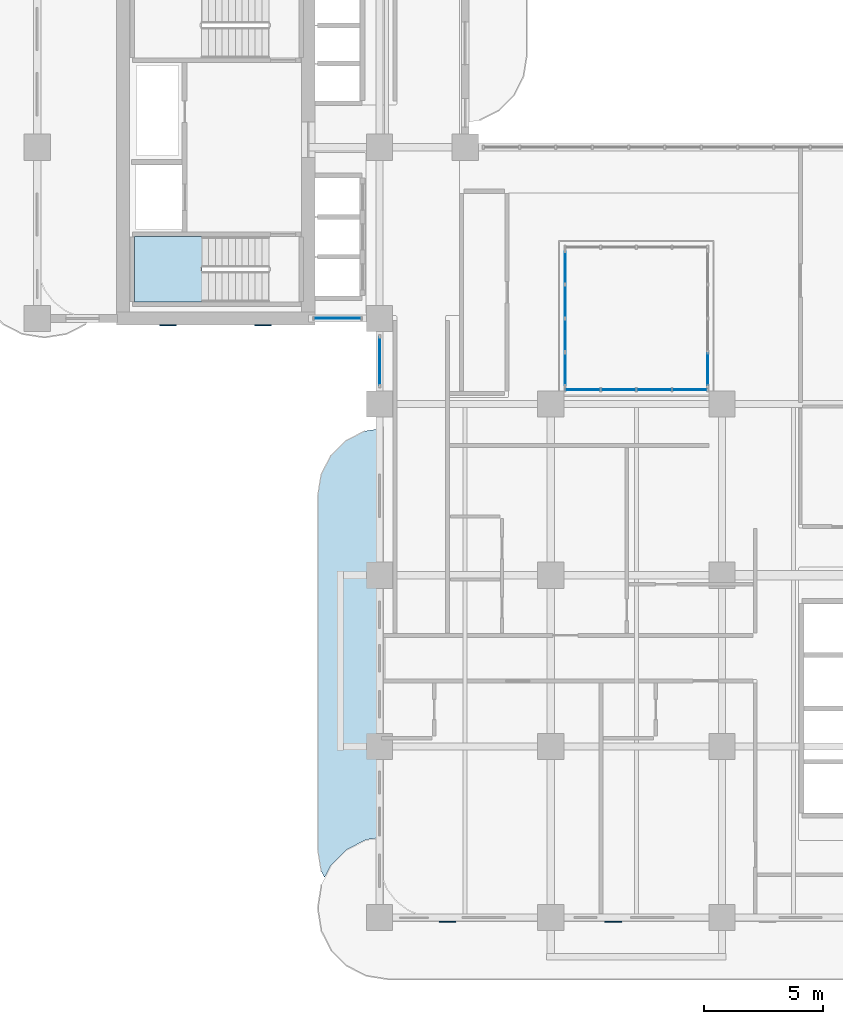
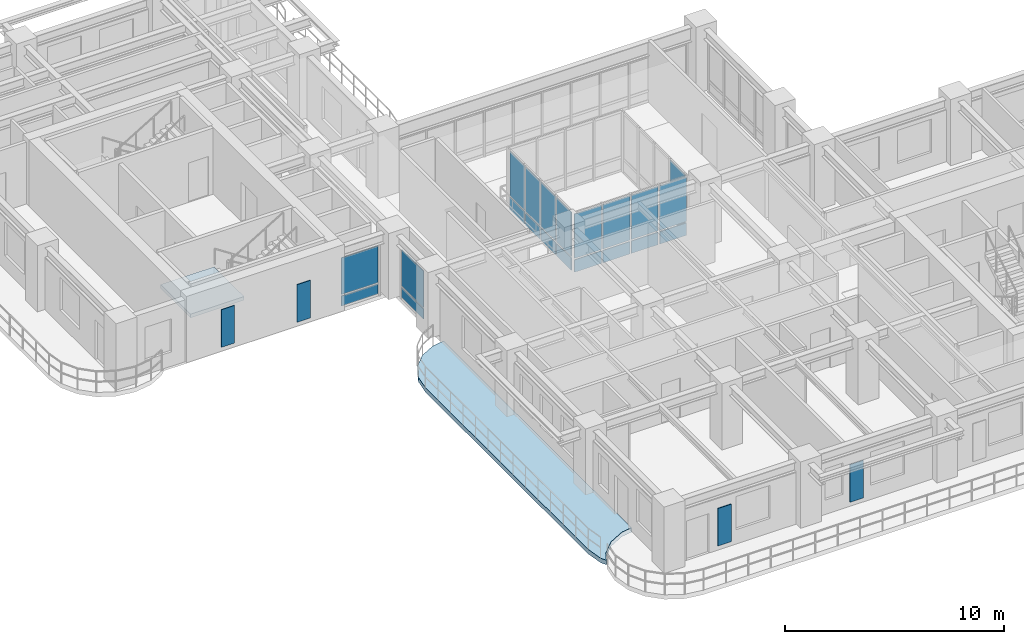
# One storey, part 8 of 22: 26 plates, 2 slabs, 6 elements without a shape of their own.
"""IFC4 building model written with IfcOpenShell, lengths in metres."""

from ifc_helpers import new_model, si_unit, derived_unit, direction, frame, origin, origin_2d, place, context, subcontext, project, spatial, polyline, rectangle, outline, extrude, source, transform, mapped, material, layer, layer_set, type_object, type_shapes, element, aggregate, save


model = new_model("IFC4")

# Units and contexts
model_context = context("Model", 3, precision=1e-05, world=origin(), true_north=direction((0.0, 1.0)))
body_context = subcontext(model_context, "Body", "Model", "MODEL_VIEW")
ifc_project = project(units=[si_unit("LENGTHUNIT", "METRE"), si_unit("AREAUNIT", "SQUARE_METRE"), si_unit("VOLUMEUNIT", "CUBIC_METRE"), si_unit("PLANEANGLEUNIT", "RADIAN"), si_unit("MASSUNIT", "GRAM", prefix="KILO"), si_unit("THERMODYNAMICTEMPERATUREUNIT", "KELVIN"), si_unit("POWERUNIT", "WATT"), derived_unit("THERMALTRANSMITTANCEUNIT", [(si_unit("POWERUNIT", "WATT"), 1), (si_unit("AREAUNIT", "SQUARE_METRE"), -1), (si_unit("THERMODYNAMICTEMPERATUREUNIT", "KELVIN"), -1)])], contexts=[model_context])

# Site, building, storey
site_placement = place(None, origin())
site = spatial("IfcSite", under=ifc_project, at=site_placement, CompositionType="ELEMENT")
building_placement = place(site_placement, origin())
building = spatial("IfcBuilding", under=site, at=building_placement, Name="Zahravan Archway Hotel and Residences", CompositionType="ELEMENT")
storey_placement = place(building_placement, frame((0.0, 0.0, 91.60009765625)))
storey = spatial("IfcBuildingStorey", under=building, at=storey_placement, Name="L22", CompositionType="ELEMENT", Elevation=91.60009765625)

# Slab
ifc_material_1 = material(Name="Concrete C45/55", Category="concrete")
ifc_layer_1 = layer(ifc_material_1, 0.25, Name="Concrete C45/55", Category="concrete")
ifc_layer_set_1 = layer_set([ifc_layer_1], Name="Concrete C45/55")
slab_type_1 = type_object("IfcSlabType", Name="SLB-BALC-250", PredefinedType="FLOOR", material=ifc_layer_set_1)
slab_1_placement = place(storey_placement, frame((0.0, 0.0, -0.25)))
element("IfcSlab", 1, at=slab_1_placement, inside=storey, type_object=slab_type_1, Name="L22 Wing A West Rounded Balcony Band", PredefinedType="FLOOR", context=body_context, shape_type="SweptSolid", body=[
    extrude(outline(polyline([(11.939453125, 1.96923828125), (11.800048828125, 2.85009765625), (11.800048828125, 17.75), (11.939453125, 18.630615234375), (12.34423828125, 19.42529296875), (12.974853515625, 20.0556640625), (13.769287109375, 20.46044921875), (14.3798828125, 20.55712890625), (14.3798828125, 3.361328125), (14.37890625, 3.361328125), (14.376953125, 3.361083984375), (13.835205078125, 3.275390625), (13.833251953125, 3.27490234375), (13.831298828125, 3.2744140625), (13.829345703125, 3.2734375), (13.0068359375, 2.8544921875), (13.005126953125, 2.853515625), (13.00341796875, 2.85205078125), (13.001953125, 2.8505859375), (12.349365234375, 2.197998046875), (12.347900390625, 2.196533203125), (12.3466796875, 2.19482421875), (12.345703125, 2.193115234375), (12.08544921875, 1.6826171875), (11.939453125, 1.96923828125)])), origin(), (0.0, 0.0, 1.0), 0.25),
])

# Stair, slab
ifc_material_2 = material(Name="Concrete C50/60", Category="concrete")
stair_type = type_object("IfcStairType", Name="STR-CORE-1300", PredefinedType="HALF_TURN_STAIR", material=ifc_material_2)
stair_placement = place(storey_placement, origin())
stair = element("IfcStair", 2, at=stair_placement, inside=storey, type_object=stair_type, Name="L22 Core B Exit Stair 1", PredefinedType="HALF_TURN_STAIR")
ifc_layer_2 = layer(ifc_material_2, 0.199951171875, Name="Concrete C50/60", Category="concrete")
ifc_layer_set_2 = layer_set([ifc_layer_2], Name="Concrete C50/60")
slab_type_2 = type_object("IfcSlabType", Name="SLB-LND-200", PredefinedType="LANDING", material=ifc_layer_set_2)
slab_2_placement = place(storey_placement, frame((0.0, 0.0, 1.64990234375)))
slab_2 = element("IfcSlab", 3, at=slab_2_placement, type_object=slab_type_2, Name="ST-B1 landing 1", PredefinedType="LANDING", context=body_context, shape_type="SweptSolid", body=[
    extrude(outline(polyline([(6.929931640625, 28.639892578125), (4.10009765625, 28.639892578125), (4.10009765625, 25.89990234375), (6.929931640625, 25.89990234375), (6.929931640625, 28.639892578125)])), origin(), (0.0, 0.0, 1.0), 0.199951171875),
])
aggregate(stair, [slab_2])

# Plates
ifc_material_3 = material(Name="Perforated Cast Bronze Jali Lattice")
ifc_layer_3 = layer(ifc_material_3, 0.044921875, Name="Perforated Cast Bronze Jali Lattice")
ifc_layer_set_3 = layer_set([ifc_layer_3], Name="Perforated Cast Bronze Jali Lattice")
plate_type_1 = type_object("IfcPlateType", Name="PLT-JALI-BAY", PredefinedType="USERDEFINED", material=ifc_layer_set_3)
shared_shape_1 = source(origin(), body_context, "Body", "SweptSolid", [
    extrude(rectangle(XDim=0.699951171875, YDim=0.044921875, at=origin_2d()), origin(), (0.0, 0.0, 1.0), 2.10009765625),
])
type_shapes(plate_type_1, [shared_shape_1])
for number, where, z_axis, x_axis, name in (
    (4, (5.5, 24.906982421875, 0.249755859375), (0.0, 0.0, 1.0), (1.0, 0.0, 0.0), "L22 Core B South Mughal Jali Screen 1"),
    (5, (9.5, 24.906982421875, 0.249755859375), (0.0, 0.0, 1.0), (1.0, 0.0, 0.0), "L22 Core B South Mughal Jali Screen 2"),
    (6, (17.25, -0.177978515625, 0.249755859375), (0.0, 0.0, 1.0), (1.0, 0.0, 0.0), "L22 Perforated Bronze Jali Pier Screen 01"),
    (7, (24.22802734375, -0.177978515625, 0.249755859375), (0.0, 0.0, 1.0), (1.0, 0.0, 0.0), "L22 Perforated Bronze Jali Pier Screen 02"),
):
    element("IfcPlate", number, at=place(storey_placement, frame(where, z_axis=z_axis, x_axis=x_axis)), inside=storey, type_object=plate_type_1, Name=name, ObjectType="SCREEN", PredefinedType="USERDEFINED", context=body_context, shape_type="MappedRepresentation", body=[
        mapped(shared_shape_1, transform((0.0, 0.0, 0.0), scale=1.0)),
    ])

# Curtain wall, plates
ifc_material_4 = material(Name="Bronze-Anodized Unitised Aluminium & Low-E Glass", Category="aluminium")
ifc_layer_4 = layer(ifc_material_4, 0.179931640625, Name="Bronze-Anodized Unitised Aluminium & Low-E Glass", Category="aluminium")
ifc_layer_set_4 = layer_set([ifc_layer_4], Name="Bronze-Anodized Unitised Aluminium & Low-E Glass")
curtain_wall_type = type_object("IfcCurtainWallType", Name="CW-ATR-GLAZ", PredefinedType="NOTDEFINED", material=ifc_layer_set_4)
curtain_wall_1_placement = place(storey_placement, origin())
curtain_wall_1 = element("IfcCurtainWall", 8, at=curtain_wall_1_placement, inside=storey, type_object=curtain_wall_type, Name="L22 Curtain Wall CW-L22-WB-SE-1", PredefinedType="NOTDEFINED")
ifc_material_5 = material(Name="Insulated Terracotta Spandrel Panel", Category="masonry")
ifc_layer_5 = layer(ifc_material_5, 0.0400390625, Name="Insulated Terracotta Spandrel Panel", Category="masonry")
ifc_layer_set_5 = layer_set([ifc_layer_5], Name="Insulated Terracotta Spandrel Panel")
plate_type_2 = type_object("IfcPlateType", Name="CWP-SPN-40", PredefinedType="SHEET", material=ifc_layer_set_5)
shared_shape_2 = source(origin(), body_context, "Body", "SweptSolid", [
    extrude(rectangle(XDim=1.93994140625, YDim=0.0400390625, at=origin_2d()), origin(), (0.0, 0.0, 1.0), 0.552490234375),
])
plate_1_placement = place(storey_placement, frame((12.6298828125, 25.199951171875, 0.10009765625), z_axis=(0.0, 0.0, 1.0), x_axis=(1.0, 0.0, 0.0)))
plate_1 = element("IfcPlate", 9, at=plate_1_placement, type_object=plate_type_2, Name="CW-L22-WB-SE-1 Spandrel Panel 0", PredefinedType="SHEET", context=body_context, shape_type="MappedRepresentation", body=[
    mapped(shared_shape_2, transform((0.0, 0.0, 0.0), scale=1.0)),
])
ifc_material_6 = material(Name="Double-Silver Low-E Insulated Vision Glass", Category="glass")
ifc_layer_6 = layer(ifc_material_6, 0.028076171875, Name="Double-Silver Low-E Insulated Vision Glass", Category="glass")
ifc_layer_set_6 = layer_set([ifc_layer_6], Name="Double-Silver Low-E Insulated Vision Glass")
plate_type_3 = type_object("IfcPlateType", Name="CWP-GLZ-28", PredefinedType="CURTAIN_PANEL", material=ifc_layer_set_6)
shared_shape_3 = source(origin(), body_context, "Body", "SweptSolid", [
    extrude(rectangle(XDim=1.93994140625, YDim=0.028076171875, at=origin_2d()), origin(), (0.0, 0.0, 1.0), 2.052490234375),
])
plate_2_placement = place(storey_placement, frame((12.6298828125, 25.199951171875, 0.732421875), z_axis=(0.0, 0.0, 1.0), x_axis=(1.0, 0.0, 0.0)))
plate_2 = element("IfcPlate", 10, at=plate_2_placement, type_object=plate_type_3, Name="CW-L22-WB-SE-1 Low-E Vision Panel 0", PredefinedType="CURTAIN_PANEL", context=body_context, shape_type="MappedRepresentation", body=[
    mapped(shared_shape_3, transform((0.0, 0.0, 0.0), scale=1.0)),
])
aggregate(curtain_wall_1, [plate_1, plate_2])

curtain_wall_2_placement = place(storey_placement, origin())
curtain_wall_2 = element("IfcCurtainWall", 11, at=curtain_wall_2_placement, inside=storey, type_object=curtain_wall_type, Name="L22 Curtain Wall CW-L22-WA-WLU-1", PredefinedType="NOTDEFINED")
shared_shape_4 = source(origin(), body_context, "Body", "SweptSolid", [
    extrude(rectangle(XDim=2.0, YDim=0.0400390625, at=origin_2d()), origin(), (0.0, 0.0, 1.0), 0.552490234375),
])
plate_3_placement = place(storey_placement, frame((14.39990234375, 23.39990234375, 0.10009765625), z_axis=(0.0, 0.0, 1.0), x_axis=(0.0, 1.0, 0.0)))
plate_3 = element("IfcPlate", 12, at=plate_3_placement, type_object=plate_type_2, Name="CW-L22-WA-WLU-1 Spandrel Panel 0", PredefinedType="SHEET", context=body_context, shape_type="MappedRepresentation", body=[
    mapped(shared_shape_4, transform((0.0, 0.0, 0.0), scale=1.0)),
])
shared_shape_5 = source(origin(), body_context, "Body", "SweptSolid", [
    extrude(rectangle(XDim=2.0, YDim=0.028076171875, at=origin_2d()), origin(), (0.0, 0.0, 1.0), 2.052490234375),
])
plate_4_placement = place(storey_placement, frame((14.39990234375, 23.39990234375, 0.732421875), z_axis=(0.0, 0.0, 1.0), x_axis=(0.0, 1.0, 0.0)))
plate_4 = element("IfcPlate", 13, at=plate_4_placement, type_object=plate_type_3, Name="CW-L22-WA-WLU-1 Low-E Vision Panel 0", PredefinedType="CURTAIN_PANEL", context=body_context, shape_type="MappedRepresentation", body=[
    mapped(shared_shape_5, transform((0.0, 0.0, 0.0), scale=1.0)),
])
aggregate(curtain_wall_2, [plate_3, plate_4])

curtain_wall_3_placement = place(storey_placement, origin())
curtain_wall_3 = element("IfcCurtainWall", 14, at=curtain_wall_3_placement, inside=storey, type_object=curtain_wall_type, Name="L22 Curtain Wall CW-ATR-L22-S-1", PredefinedType="NOTDEFINED")
shared_shape_6 = source(origin(), body_context, "Body", "SweptSolid", [
    extrude(rectangle(XDim=1.419921875, YDim=0.0400390625, at=origin_2d()), origin(), (0.0, 0.0, 1.0), 0.68798828125),
])
plate_5_placement = place(storey_placement, frame((22.949951171875, 22.199951171875, 0.099853515625), z_axis=(0.0, 0.0, 1.0), x_axis=(1.0, 0.0, 0.0)))
plate_5 = element("IfcPlate", 15, at=plate_5_placement, type_object=plate_type_2, Name="CW-ATR-L22-S-1 Spandrel Panel 0", PredefinedType="SHEET", context=body_context, shape_type="MappedRepresentation", body=[
    mapped(shared_shape_6, transform((0.0, 0.0, 0.0), scale=1.0)),
])
plate_6_placement = place(storey_placement, frame((24.449951171875, 22.199951171875, 0.099853515625), z_axis=(0.0, 0.0, 1.0), x_axis=(1.0, 0.0, 0.0)))
plate_6 = element("IfcPlate", 16, at=plate_6_placement, type_object=plate_type_2, Name="CW-ATR-L22-S-1 Spandrel Panel 1", PredefinedType="SHEET", context=body_context, shape_type="MappedRepresentation", body=[
    mapped(shared_shape_6, transform((0.0, 0.0, 0.0), scale=1.0)),
])
plate_7_placement = place(storey_placement, frame((25.949951171875, 22.199951171875, 0.099853515625), z_axis=(0.0, 0.0, 1.0), x_axis=(1.0, 0.0, 0.0)))
plate_7 = element("IfcPlate", 17, at=plate_7_placement, type_object=plate_type_2, Name="CW-ATR-L22-S-1 Spandrel Panel 2", PredefinedType="SHEET", context=body_context, shape_type="MappedRepresentation", body=[
    mapped(shared_shape_6, transform((0.0, 0.0, 0.0), scale=1.0)),
])
plate_8_placement = place(storey_placement, frame((27.449951171875, 22.199951171875, 0.099853515625), z_axis=(0.0, 0.0, 1.0), x_axis=(1.0, 0.0, 0.0)))
plate_8 = element("IfcPlate", 18, at=plate_8_placement, type_object=plate_type_2, Name="CW-ATR-L22-S-1 Spandrel Panel 3", PredefinedType="SHEET", context=body_context, shape_type="MappedRepresentation", body=[
    mapped(shared_shape_6, transform((0.0, 0.0, 0.0), scale=1.0)),
])
shared_shape_7 = source(origin(), body_context, "Body", "SweptSolid", [
    extrude(rectangle(XDim=1.419921875, YDim=0.028076171875, at=origin_2d()), origin(), (0.0, 0.0, 1.0), 2.48193359375),
])
plate_9_placement = place(storey_placement, frame((22.949951171875, 22.199951171875, 0.867919921875), z_axis=(0.0, 0.0, 1.0), x_axis=(1.0, 0.0, 0.0)))
plate_9 = element("IfcPlate", 19, at=plate_9_placement, type_object=plate_type_3, Name="CW-ATR-L22-S-1 Low-E Vision Panel 0", PredefinedType="CURTAIN_PANEL", context=body_context, shape_type="MappedRepresentation", body=[
    mapped(shared_shape_7, transform((0.0, 0.0, 0.0), scale=1.0)),
])
plate_10_placement = place(storey_placement, frame((24.449951171875, 22.199951171875, 0.867919921875), z_axis=(0.0, 0.0, 1.0), x_axis=(1.0, 0.0, 0.0)))
plate_10 = element("IfcPlate", 20, at=plate_10_placement, type_object=plate_type_3, Name="CW-ATR-L22-S-1 Low-E Vision Panel 1", PredefinedType="CURTAIN_PANEL", context=body_context, shape_type="MappedRepresentation", body=[
    mapped(shared_shape_7, transform((0.0, 0.0, 0.0), scale=1.0)),
])
plate_11_placement = place(storey_placement, frame((25.949951171875, 22.199951171875, 0.867919921875), z_axis=(0.0, 0.0, 1.0), x_axis=(1.0, 0.0, 0.0)))
plate_11 = element("IfcPlate", 21, at=plate_11_placement, type_object=plate_type_3, Name="CW-ATR-L22-S-1 Low-E Vision Panel 2", PredefinedType="CURTAIN_PANEL", context=body_context, shape_type="MappedRepresentation", body=[
    mapped(shared_shape_7, transform((0.0, 0.0, 0.0), scale=1.0)),
])
plate_12_placement = place(storey_placement, frame((27.449951171875, 22.199951171875, 0.867919921875), z_axis=(0.0, 0.0, 1.0), x_axis=(1.0, 0.0, 0.0)))
plate_12 = element("IfcPlate", 22, at=plate_12_placement, type_object=plate_type_3, Name="CW-ATR-L22-S-1 Low-E Vision Panel 3", PredefinedType="CURTAIN_PANEL", context=body_context, shape_type="MappedRepresentation", body=[
    mapped(shared_shape_7, transform((0.0, 0.0, 0.0), scale=1.0)),
])
aggregate(curtain_wall_3, [plate_5, plate_9, plate_6, plate_10, plate_7, plate_11, plate_8, plate_12])

curtain_wall_4_placement = place(storey_placement, origin())
curtain_wall_4 = element("IfcCurtainWall", 23, at=curtain_wall_4_placement, inside=storey, type_object=curtain_wall_type, Name="L22 Curtain Wall CW-ATR-L22-W-1", PredefinedType="NOTDEFINED")
shared_shape_8 = source(origin(), body_context, "Body", "SweptSolid", [
    extrude(rectangle(XDim=1.344970703125, YDim=0.0400390625, at=origin_2d()), origin(), (0.0, 0.0, 1.0), 0.68798828125),
])
plate_13_placement = place(storey_placement, frame((22.199951171875, 23.0625, 0.099853515625), z_axis=(0.0, 0.0, 1.0), x_axis=(0.0, 1.0, 0.0)))
plate_13 = element("IfcPlate", 24, at=plate_13_placement, type_object=plate_type_2, Name="CW-ATR-L22-W-1 Spandrel Panel 0", PredefinedType="SHEET", context=body_context, shape_type="MappedRepresentation", body=[
    mapped(shared_shape_8, transform((0.0, 0.0, 0.0), scale=1.0)),
])
plate_14_placement = place(storey_placement, frame((22.199951171875, 24.487548828125, 0.099853515625), z_axis=(0.0, 0.0, 1.0), x_axis=(0.0, 1.0, 0.0)))
plate_14 = element("IfcPlate", 25, at=plate_14_placement, type_object=plate_type_2, Name="CW-ATR-L22-W-1 Spandrel Panel 1", PredefinedType="SHEET", context=body_context, shape_type="MappedRepresentation", body=[
    mapped(shared_shape_8, transform((0.0, 0.0, 0.0), scale=1.0)),
])
plate_15_placement = place(storey_placement, frame((22.199951171875, 25.91259765625, 0.099853515625), z_axis=(0.0, 0.0, 1.0), x_axis=(0.0, 1.0, 0.0)))
plate_15 = element("IfcPlate", 26, at=plate_15_placement, type_object=plate_type_2, Name="CW-ATR-L22-W-1 Spandrel Panel 2", PredefinedType="SHEET", context=body_context, shape_type="MappedRepresentation", body=[
    mapped(shared_shape_8, transform((0.0, 0.0, 0.0), scale=1.0)),
])
plate_16_placement = place(storey_placement, frame((22.199951171875, 27.33740234375, 0.099853515625), z_axis=(0.0, 0.0, 1.0), x_axis=(0.0, 1.0, 0.0)))
plate_16 = element("IfcPlate", 27, at=plate_16_placement, type_object=plate_type_2, Name="CW-ATR-L22-W-1 Spandrel Panel 3", PredefinedType="SHEET", context=body_context, shape_type="MappedRepresentation", body=[
    mapped(shared_shape_8, transform((0.0, 0.0, 0.0), scale=1.0)),
])

# Curtain wall, plate
curtain_wall_5_placement = place(storey_placement, origin())
curtain_wall_5 = element("IfcCurtainWall", 28, at=curtain_wall_5_placement, inside=storey, type_object=curtain_wall_type, Name="L22 Curtain Wall CW-ATR-L22-E-1", PredefinedType="NOTDEFINED")
plate_17_placement = place(storey_placement, frame((28.199951171875, 23.0625, 0.099853515625), z_axis=(0.0, 0.0, 1.0), x_axis=(0.0, 1.0, 0.0)))
plate_17 = element("IfcPlate", 29, at=plate_17_placement, type_object=plate_type_2, Name="CW-ATR-L22-E-1 Spandrel Panel 0", PredefinedType="SHEET", context=body_context, shape_type="MappedRepresentation", body=[
    mapped(shared_shape_8, transform((0.0, 0.0, 0.0), scale=1.0)),
])

# Plate
shared_shape_9 = source(origin(), body_context, "Body", "SweptSolid", [
    extrude(rectangle(XDim=1.344970703125, YDim=0.028076171875, at=origin_2d()), origin(), (0.0, 0.0, 1.0), 2.48193359375),
])
plate_18_placement = place(storey_placement, frame((22.199951171875, 23.0625, 0.867919921875), z_axis=(0.0, 0.0, 1.0), x_axis=(0.0, 1.0, 0.0)))
plate_18 = element("IfcPlate", 30, at=plate_18_placement, type_object=plate_type_3, Name="CW-ATR-L22-W-1 Low-E Vision Panel 0", PredefinedType="CURTAIN_PANEL", context=body_context, shape_type="MappedRepresentation", body=[
    mapped(shared_shape_9, transform((0.0, 0.0, 0.0), scale=1.0)),
])

plate_19_placement = place(storey_placement, frame((22.199951171875, 24.487548828125, 0.867919921875), z_axis=(0.0, 0.0, 1.0), x_axis=(0.0, 1.0, 0.0)))
plate_19 = element("IfcPlate", 31, at=plate_19_placement, type_object=plate_type_3, Name="CW-ATR-L22-W-1 Low-E Vision Panel 1", PredefinedType="CURTAIN_PANEL", context=body_context, shape_type="MappedRepresentation", body=[
    mapped(shared_shape_9, transform((0.0, 0.0, 0.0), scale=1.0)),
])

plate_20_placement = place(storey_placement, frame((22.199951171875, 25.91259765625, 0.867919921875), z_axis=(0.0, 0.0, 1.0), x_axis=(0.0, 1.0, 0.0)))
plate_20 = element("IfcPlate", 32, at=plate_20_placement, type_object=plate_type_3, Name="CW-ATR-L22-W-1 Low-E Vision Panel 2", PredefinedType="CURTAIN_PANEL", context=body_context, shape_type="MappedRepresentation", body=[
    mapped(shared_shape_9, transform((0.0, 0.0, 0.0), scale=1.0)),
])

plate_21_placement = place(storey_placement, frame((22.199951171875, 27.33740234375, 0.867919921875), z_axis=(0.0, 0.0, 1.0), x_axis=(0.0, 1.0, 0.0)))
plate_21 = element("IfcPlate", 33, at=plate_21_placement, type_object=plate_type_3, Name="CW-ATR-L22-W-1 Low-E Vision Panel 3", PredefinedType="CURTAIN_PANEL", context=body_context, shape_type="MappedRepresentation", body=[
    mapped(shared_shape_9, transform((0.0, 0.0, 0.0), scale=1.0)),
])

aggregate(curtain_wall_4, [plate_13, plate_18, plate_14, plate_19, plate_15, plate_20, plate_16, plate_21])

plate_22_placement = place(storey_placement, frame((28.199951171875, 23.0625, 0.867919921875), z_axis=(0.0, 0.0, 1.0), x_axis=(0.0, 1.0, 0.0)))
plate_22 = element("IfcPlate", 34, at=plate_22_placement, type_object=plate_type_3, Name="CW-ATR-L22-E-1 Low-E Vision Panel 0", PredefinedType="CURTAIN_PANEL", context=body_context, shape_type="MappedRepresentation", body=[
    mapped(shared_shape_9, transform((0.0, 0.0, 0.0), scale=1.0)),
])

aggregate(curtain_wall_5, [plate_17, plate_22])

save(model, "model.ifc")
